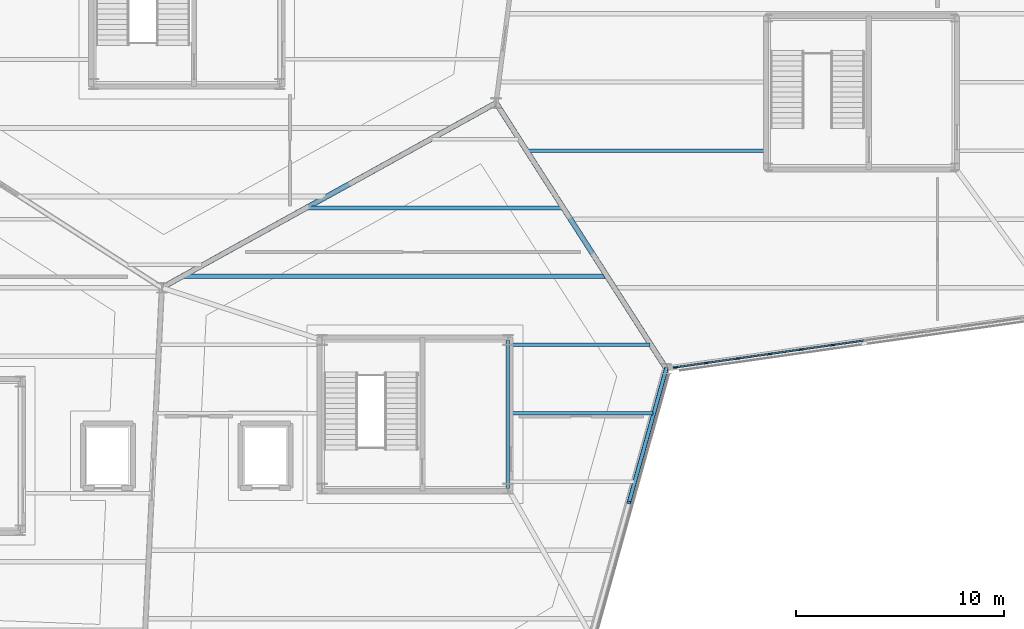
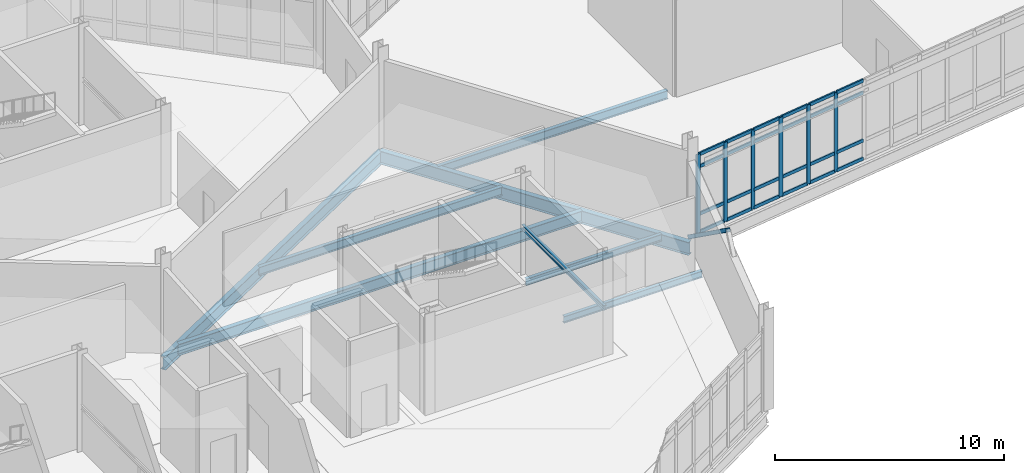
# One storey, part 63 of 113: 31 members, 8 beams, 1 element without a shape of its own.
"""IFC4 building model written with IfcOpenShell, lengths in metres."""

from ifc_helpers import new_model, si_unit, direction, frame, origin, origin_2d, place, context, subcontext, project, spatial, rectangle, hollow_rectangle, i_section, extrude, material, material_profile, profile_set, type_object, element, aggregate, save


model = new_model("IFC4")

# Units and contexts
model_context = context("Model", 3, precision=1e-05, world=origin(), true_north=direction((0.0, 1.0)))
body_context = subcontext(model_context, "Body", "Model", "MODEL_VIEW")
ifc_project = project(units=[si_unit("LENGTHUNIT", "METRE"), si_unit("AREAUNIT", "SQUARE_METRE"), si_unit("VOLUMEUNIT", "CUBIC_METRE"), si_unit("PLANEANGLEUNIT", "RADIAN"), si_unit("MASSUNIT", "GRAM", prefix="KILO")], contexts=[model_context])

# Site, building, storey
site_placement = place(None, origin())
site = spatial("IfcSite", under=ifc_project, at=site_placement, CompositionType="ELEMENT")
building_placement = place(site_placement, origin())
building = spatial("IfcBuilding", under=site, at=building_placement, Name="Tameran Prism Museum", CompositionType="ELEMENT")
storey_placement = place(building_placement, origin())
storey = spatial("IfcBuildingStorey", under=building, at=storey_placement, Name="L00", CompositionType="ELEMENT", Elevation=0.0)

# Beams
ifc_material_1 = material(Name="Steel Grade 300PLUS (300 MPa)", Category="steel")
ifc_material_profile_1 = material_profile(ifc_material_1, i_section(OverallWidth=0.172119140625, OverallDepth=0.35888671875, WebThickness=0.008056640625, FlangeThickness=0.012939453125, FilletRadius=0.011474609375, at=origin_2d()))
ifc_profile_set_1 = profile_set([ifc_material_profile_1])
beam_type_1 = type_object("IfcBeamType", Name="BM-J360A", PredefinedType="JOIST", material=ifc_profile_set_1)
beam_1_placement = place(storey_placement, frame((135.47998046875, 86.35009765625, -0.41943359375), z_axis=(1.0, 0.0, 0.0), x_axis=(0.0, 1.0, 0.0)))
element("IfcBeam", 1, at=beam_1_placement, inside=storey, type_object=beam_type_1, Name="Floor Beam BM-0177", PredefinedType="JOIST", context=body_context, shape_type="SweptSolid", body=[
    extrude(i_section(OverallWidth=0.172119140625, OverallDepth=0.35888671875, WebThickness=0.008056640625, FlangeThickness=0.012939453125, FilletRadius=0.011474609375, at=origin_2d()), origin(), (0.0, 0.0, 1.0), 6.8359375),
])
ifc_material_2 = material(Name="Steel Grade 300PLUS (300 MPa)", Category="steel")
ifc_material_profile_2 = material_profile(ifc_material_2, i_section(OverallWidth=0.1708984375, OverallDepth=0.35595703125, WebThickness=0.00732421875, FlangeThickness=0.011474609375, FilletRadius=0.011474609375, at=origin_2d()))
ifc_profile_set_2 = profile_set([ifc_material_profile_2])
beam_type_2 = type_object("IfcBeamType", Name="BM-J360B", PredefinedType="JOIST", material=ifc_profile_set_2)
beam_2_placement = place(storey_placement, frame((135.47998046875, 83.050048828125, -0.41796875), z_axis=(1.0, 0.0, 0.0), x_axis=(0.0, 1.0, 0.0)))
element("IfcBeam", 2, at=beam_2_placement, inside=storey, type_object=beam_type_2, Name="Floor Beam BM-0175", PredefinedType="JOIST", context=body_context, shape_type="SweptSolid", body=[
    extrude(i_section(OverallWidth=0.1708984375, OverallDepth=0.35595703125, WebThickness=0.00732421875, FlangeThickness=0.011474609375, FilletRadius=0.011474609375, at=origin_2d()), origin(), (0.0, 0.0, 1.0), 6.97802734375),
])
ifc_material_3 = material(Name="Steel Grade 300PLUS (300 MPa)", Category="steel")
ifc_material_profile_3 = material_profile(ifc_material_3, i_section(OverallWidth=0.18994140625, OverallDepth=0.4541015625, WebThickness=0.008544921875, FlangeThickness=0.0126953125, FilletRadius=0.011474609375, at=origin_2d()))
ifc_profile_set_3 = profile_set([ifc_material_profile_3])
beam_type_3 = type_object("IfcBeamType", Name="BM-J460B", PredefinedType="JOIST", material=ifc_profile_set_3)
beam_3_placement = place(storey_placement, frame((125.846923828125, 92.949951171875, -0.467041015625), z_axis=(1.0, 0.0, 0.0), x_axis=(0.0, 1.0, 0.0)))
element("IfcBeam", 3, at=beam_3_placement, inside=storey, type_object=beam_type_3, Name="Floor Beam BM-0179", PredefinedType="JOIST", context=body_context, shape_type="SweptSolid", body=[
    extrude(i_section(OverallWidth=0.18994140625, OverallDepth=0.4541015625, WebThickness=0.008544921875, FlangeThickness=0.0126953125, FilletRadius=0.011474609375, at=origin_2d()), origin(), (0.0, 0.0, 1.0), 12.240966796875),
])
beam_4_placement = place(storey_placement, frame((136.4208984375, 95.699951171875, -0.467041015625), z_axis=(1.0, 0.0, 0.0), x_axis=(0.0, 1.0, 0.0)))
element("IfcBeam", 4, at=beam_4_placement, inside=storey, type_object=beam_type_3, Name="Floor Beam BM-0192", PredefinedType="JOIST", context=body_context, shape_type="SweptSolid", body=[
    extrude(i_section(OverallWidth=0.18994140625, OverallDepth=0.4541015625, WebThickness=0.008544921875, FlangeThickness=0.0126953125, FilletRadius=0.011474609375, at=origin_2d()), origin(), (0.0, 0.0, 1.0), 11.59912109375),
])
ifc_material_4 = material(Name="Steel Grade 300PLUS (300 MPa)", Category="steel")
ifc_material_profile_4 = material_profile(ifc_material_4, i_section(OverallWidth=0.14599609375, OverallDepth=0.256103515625, WebThickness=0.00634765625, FlangeThickness=0.010986328125, FilletRadius=0.0087890625, at=origin_2d()))
ifc_profile_set_4 = profile_set([ifc_material_profile_4])
beam_type_4 = type_object("IfcBeamType", Name="BM-L250", PredefinedType="LINTEL", material=ifc_profile_set_4)
beam_5_placement = place(storey_placement, frame((135.47998046875, 79.419921875, 2.3798828125), z_axis=(0.0, 1.0, 0.0), x_axis=(-1.0, 0.0, 0.0)))
element("IfcBeam", 5, at=beam_5_placement, inside=storey, type_object=beam_type_4, Name="Core Door Lintel LN-02", PredefinedType="LINTEL", context=body_context, shape_type="SweptSolid", body=[
    extrude(i_section(OverallWidth=0.14599609375, OverallDepth=0.256103515625, WebThickness=0.00634765625, FlangeThickness=0.010986328125, FilletRadius=0.0087890625, at=origin_2d()), origin(), (0.0, 0.0, 1.0), 7.16015625),
])
ifc_material_5 = material(Name="Steel Grade 350 (350 MPa)", Category="steel")
ifc_material_profile_5 = material_profile(ifc_material_5, i_section(OverallWidth=0.25, OverallDepth=0.699951171875, WebThickness=0.010009765625, FlangeThickness=0.02001953125, at=origin_2d()))
ifc_profile_set_5 = profile_set([ifc_material_profile_5])
beam_type_5 = type_object("IfcBeamType", Name="BM-SP700", PredefinedType="SPANDREL", material=ifc_profile_set_5)
beam_6_placement = place(storey_placement, frame((143.10009765625, 85.199951171875, -0.590087890625), z_axis=(-0.539434641352, 0.842027474439, 0.0), x_axis=(-0.842027474439, -0.539434641352, 0.0)))
element("IfcBeam", 6, at=beam_6_placement, inside=storey, type_object=beam_type_5, Name="Perimeter Spandrel SP-0009", PredefinedType="SPANDREL", context=body_context, shape_type="SweptSolid", body=[
    extrude(i_section(OverallWidth=0.25, OverallDepth=0.699951171875, WebThickness=0.010009765625, FlangeThickness=0.02001953125, at=origin_2d()), origin(), (0.0, 0.0, 1.0), 15.201416015625),
])
beam_7_placement = place(storey_placement, frame((134.89990234375, 98.0, -0.590087890625), z_axis=(-0.875181353329, -0.483794996652, 0.0), x_axis=(0.483794996652, -0.875181353329, 0.0)))
element("IfcBeam", 7, at=beam_7_placement, inside=storey, type_object=beam_type_5, Name="Perimeter Spandrel SP-0010", PredefinedType="SPANDREL", context=body_context, shape_type="SweptSolid", body=[
    extrude(i_section(OverallWidth=0.25, OverallDepth=0.699951171875, WebThickness=0.010009765625, FlangeThickness=0.02001953125, at=origin_2d()), origin(), (0.0, 0.0, 1.0), 18.39599609375),
])
ifc_material_6 = material(Name="Steel Grade 300PLUS (300 MPa)", Category="steel")
ifc_material_profile_6 = material_profile(ifc_material_6, i_section(OverallWidth=0.22802734375, OverallDepth=0.60693359375, WebThickness=0.01123046875, FlangeThickness=0.017333984375, FilletRadius=0.013916015625, at=origin_2d()))
ifc_profile_set_6 = profile_set([ifc_material_profile_6])
beam_type_6 = type_object("IfcBeamType", Name="BM-UB610B", PredefinedType="BEAM", material=ifc_profile_set_6)
beam_8_placement = place(storey_placement, frame((119.8779296875, 89.64990234375, -0.54345703125), z_axis=(1.0, 0.0, 0.0), x_axis=(0.0, 1.0, 0.0)))
element("IfcBeam", 8, at=beam_8_placement, inside=storey, type_object=beam_type_6, Name="Floor Beam BM-0178", PredefinedType="BEAM", context=body_context, shape_type="SweptSolid", body=[
    extrude(i_section(OverallWidth=0.22802734375, OverallDepth=0.60693359375, WebThickness=0.01123046875, FlangeThickness=0.017333984375, FilletRadius=0.013916015625, at=origin_2d()), origin(), (0.0, 0.0, 1.0), 20.323974609375),
])

# Curtain wall, members
ifc_material_7 = material(Name="Anodised Aluminium 6063-T6 and Cyclone Solar Glass", Category="aluminium")
curtain_wall_type = type_object("IfcCurtainWallType", Name="CW-FAC-1843x422", PredefinedType="USERDEFINED", material=ifc_material_7)
curtain_wall_placement = place(storey_placement, origin())
curtain_wall = element("IfcCurtainWall", 9, at=curtain_wall_placement, inside=storey, type_object=curtain_wall_type, Name="Unitised Curtain Wall CW-025", ObjectType="UNITISED CURTAIN WALL", PredefinedType="USERDEFINED")
ifc_material_8 = material(Name="Anodised Aluminium Alloy 6063-T6", Category="aluminium")
ifc_material_profile_7 = material_profile(ifc_material_8, rectangle(XDim=0.074951171875, YDim=0.199951171875, at=origin_2d()))
ifc_profile_set_7 = profile_set([ifc_material_profile_7])
member_type_1 = type_object("IfcMemberType", Name="CW-MUL-C", PredefinedType="MULLION", material=ifc_profile_set_7)
member_1_placement = place(storey_placement, frame((151.10888671875, 86.337890625, 0.0), z_axis=(0.0, 0.0, 1.0), x_axis=(0.1407452685, -0.990045842067, 0.0)))
member_1 = element("IfcMember", 10, at=member_1_placement, type_object=member_type_1, Name="CW-025 mullion 8", PredefinedType="MULLION", context=body_context, shape_type="SweptSolid", body=[
    extrude(rectangle(XDim=0.074951171875, YDim=0.199951171875, at=origin_2d()), origin(), (0.0, 0.0, 1.0), 4.219970703125),
])
member_2_placement = place(storey_placement, frame((149.58837890625, 86.12158203125, 0.0), z_axis=(0.0, 0.0, 1.0), x_axis=(0.1407452685, -0.990045842067, 0.0)))
member_2 = element("IfcMember", 11, at=member_2_placement, type_object=member_type_1, Name="CW-025 mullion 9", PredefinedType="MULLION", context=body_context, shape_type="SweptSolid", body=[
    extrude(rectangle(XDim=0.074951171875, YDim=0.199951171875, at=origin_2d()), origin(), (0.0, 0.0, 1.0), 4.219970703125),
])
member_3_placement = place(storey_placement, frame((148.06787109375, 85.905517578125, 0.0), z_axis=(0.0, 0.0, 1.0), x_axis=(0.1407452685, -0.990045842067, 0.0)))
member_3 = element("IfcMember", 12, at=member_3_placement, type_object=member_type_1, Name="CW-025 mullion 10", PredefinedType="MULLION", context=body_context, shape_type="SweptSolid", body=[
    extrude(rectangle(XDim=0.074951171875, YDim=0.199951171875, at=origin_2d()), origin(), (0.0, 0.0, 1.0), 4.219970703125),
])
member_4_placement = place(storey_placement, frame((146.547119140625, 85.689453125, 0.0), z_axis=(0.0, 0.0, 1.0), x_axis=(0.1407452685, -0.990045842067, 0.0)))
member_4 = element("IfcMember", 13, at=member_4_placement, type_object=member_type_1, Name="CW-025 mullion 11", PredefinedType="MULLION", context=body_context, shape_type="SweptSolid", body=[
    extrude(rectangle(XDim=0.074951171875, YDim=0.199951171875, at=origin_2d()), origin(), (0.0, 0.0, 1.0), 4.219970703125),
])
member_5_placement = place(storey_placement, frame((145.026611328125, 85.47314453125, 0.0), z_axis=(0.0, 0.0, 1.0), x_axis=(0.1407452685, -0.990045842067, 0.0)))
member_5 = element("IfcMember", 14, at=member_5_placement, type_object=member_type_1, Name="CW-025 mullion 12", PredefinedType="MULLION", context=body_context, shape_type="SweptSolid", body=[
    extrude(rectangle(XDim=0.074951171875, YDim=0.199951171875, at=origin_2d()), origin(), (0.0, 0.0, 1.0), 4.219970703125),
])
member_6_placement = place(storey_placement, frame((143.543212890625, 85.26220703125, 0.0), z_axis=(0.0, 0.0, 1.0), x_axis=(0.1407452685, -0.990045842067, 0.0)))
member_6 = element("IfcMember", 15, at=member_6_placement, type_object=member_type_1, Name="CW-025 mullion 13", PredefinedType="MULLION", context=body_context, shape_type="SweptSolid", body=[
    extrude(rectangle(XDim=0.074951171875, YDim=0.199951171875, at=origin_2d()), origin(), (0.0, 0.0, 1.0), 4.219970703125),
])
ifc_material_9 = material(Name="Anodised Aluminium Alloy 6063-T6", Category="aluminium")
ifc_material_profile_8 = material_profile(ifc_material_9, rectangle(XDim=0.074951171875, YDim=0.175048828125, at=origin_2d()))
ifc_profile_set_8 = profile_set([ifc_material_profile_8])
member_type_2 = type_object("IfcMemberType", Name="CW-TRN-C", PredefinedType="USERDEFINED", material=ifc_profile_set_8)
member_7_placement = place(storey_placement, frame((152.59228515625, 86.548828125, 0.03759765625), z_axis=(-0.990026223169, -0.140883204951, 0.0), x_axis=(0.140883204951, -0.990026223169, 0.0)))
member_7 = element("IfcMember", 16, at=member_7_placement, type_object=member_type_2, Name="CW-025 transom 7.1", ObjectType="TRANSOM", PredefinedType="USERDEFINED", context=body_context, shape_type="SweptSolid", body=[
    extrude(rectangle(XDim=0.074951171875, YDim=0.175048828125, at=origin_2d()), origin(), (0.0, 0.0, 1.0), 1.4609375),
])
member_8_placement = place(storey_placement, frame((152.59228515625, 86.548828125, 1.0), z_axis=(-0.990026223169, -0.140883204951, 0.0), x_axis=(0.140883204951, -0.990026223169, 0.0)))
member_8 = element("IfcMember", 17, at=member_8_placement, type_object=member_type_2, Name="CW-025 transom 7.2", ObjectType="TRANSOM", PredefinedType="USERDEFINED", context=body_context, shape_type="SweptSolid", body=[
    extrude(rectangle(XDim=0.074951171875, YDim=0.175048828125, at=origin_2d()), origin(), (0.0, 0.0, 1.0), 1.4609375),
])
member_9_placement = place(storey_placement, frame((152.59228515625, 86.548828125, 3.5400390625), z_axis=(-0.990026223169, -0.140883204951, 0.0), x_axis=(0.140883204951, -0.990026223169, 0.0)))
member_9 = element("IfcMember", 18, at=member_9_placement, type_object=member_type_2, Name="CW-025 transom 7.3", ObjectType="TRANSOM", PredefinedType="USERDEFINED", context=body_context, shape_type="SweptSolid", body=[
    extrude(rectangle(XDim=0.074951171875, YDim=0.175048828125, at=origin_2d()), origin(), (0.0, 0.0, 1.0), 1.4609375),
])
member_10_placement = place(storey_placement, frame((152.59228515625, 86.548828125, 4.1826171875), z_axis=(-0.990026223169, -0.140883204951, 0.0), x_axis=(0.140883204951, -0.990026223169, 0.0)))
member_10 = element("IfcMember", 19, at=member_10_placement, type_object=member_type_2, Name="CW-025 transom 7.4", ObjectType="TRANSOM", PredefinedType="USERDEFINED", context=body_context, shape_type="SweptSolid", body=[
    extrude(rectangle(XDim=0.074951171875, YDim=0.175048828125, at=origin_2d()), origin(), (0.0, 0.0, 1.0), 1.4609375),
])
member_11_placement = place(storey_placement, frame((151.07177734375, 86.33251953125, 0.03759765625), z_axis=(-0.990049519913, -0.140719394964, 0.0), x_axis=(0.140719394964, -0.990049519913, 0.0)))
member_11 = element("IfcMember", 20, at=member_11_placement, type_object=member_type_2, Name="CW-025 transom 8.1", ObjectType="TRANSOM", PredefinedType="USERDEFINED", context=body_context, shape_type="SweptSolid", body=[
    extrude(rectangle(XDim=0.074951171875, YDim=0.175048828125, at=origin_2d()), origin(), (0.0, 0.0, 1.0), 1.4609375),
])
member_12_placement = place(storey_placement, frame((151.07177734375, 86.33251953125, 1.0), z_axis=(-0.990049519913, -0.140719394964, 0.0), x_axis=(0.140719394964, -0.990049519913, 0.0)))
member_12 = element("IfcMember", 21, at=member_12_placement, type_object=member_type_2, Name="CW-025 transom 8.2", ObjectType="TRANSOM", PredefinedType="USERDEFINED", context=body_context, shape_type="SweptSolid", body=[
    extrude(rectangle(XDim=0.074951171875, YDim=0.175048828125, at=origin_2d()), origin(), (0.0, 0.0, 1.0), 1.4609375),
])
member_13_placement = place(storey_placement, frame((151.07177734375, 86.33251953125, 3.5400390625), z_axis=(-0.990049519913, -0.140719394964, 0.0), x_axis=(0.140719394964, -0.990049519913, 0.0)))
member_13 = element("IfcMember", 22, at=member_13_placement, type_object=member_type_2, Name="CW-025 transom 8.3", ObjectType="TRANSOM", PredefinedType="USERDEFINED", context=body_context, shape_type="SweptSolid", body=[
    extrude(rectangle(XDim=0.074951171875, YDim=0.175048828125, at=origin_2d()), origin(), (0.0, 0.0, 1.0), 1.4609375),
])
member_14_placement = place(storey_placement, frame((151.07177734375, 86.33251953125, 4.1826171875), z_axis=(-0.990049519913, -0.140719394964, 0.0), x_axis=(0.140719394964, -0.990049519913, 0.0)))
member_14 = element("IfcMember", 23, at=member_14_placement, type_object=member_type_2, Name="CW-025 transom 8.4", ObjectType="TRANSOM", PredefinedType="USERDEFINED", context=body_context, shape_type="SweptSolid", body=[
    extrude(rectangle(XDim=0.074951171875, YDim=0.175048828125, at=origin_2d()), origin(), (0.0, 0.0, 1.0), 1.4609375),
])
member_15_placement = place(storey_placement, frame((149.55126953125, 86.116455078125, 0.03759765625), z_axis=(-0.990049519913, -0.140719394964, 0.0), x_axis=(0.140719394964, -0.990049519913, 0.0)))
member_15 = element("IfcMember", 24, at=member_15_placement, type_object=member_type_2, Name="CW-025 transom 9.1", ObjectType="TRANSOM", PredefinedType="USERDEFINED", context=body_context, shape_type="SweptSolid", body=[
    extrude(rectangle(XDim=0.074951171875, YDim=0.175048828125, at=origin_2d()), origin(), (0.0, 0.0, 1.0), 1.4609375),
])
member_16_placement = place(storey_placement, frame((149.55126953125, 86.116455078125, 1.0), z_axis=(-0.990049519913, -0.140719394964, 0.0), x_axis=(0.140719394964, -0.990049519913, 0.0)))
member_16 = element("IfcMember", 25, at=member_16_placement, type_object=member_type_2, Name="CW-025 transom 9.2", ObjectType="TRANSOM", PredefinedType="USERDEFINED", context=body_context, shape_type="SweptSolid", body=[
    extrude(rectangle(XDim=0.074951171875, YDim=0.175048828125, at=origin_2d()), origin(), (0.0, 0.0, 1.0), 1.4609375),
])
member_17_placement = place(storey_placement, frame((149.55126953125, 86.116455078125, 3.5400390625), z_axis=(-0.990049519913, -0.140719394964, 0.0), x_axis=(0.140719394964, -0.990049519913, 0.0)))
member_17 = element("IfcMember", 26, at=member_17_placement, type_object=member_type_2, Name="CW-025 transom 9.3", ObjectType="TRANSOM", PredefinedType="USERDEFINED", context=body_context, shape_type="SweptSolid", body=[
    extrude(rectangle(XDim=0.074951171875, YDim=0.175048828125, at=origin_2d()), origin(), (0.0, 0.0, 1.0), 1.4609375),
])
member_18_placement = place(storey_placement, frame((149.55126953125, 86.116455078125, 4.1826171875), z_axis=(-0.990049519913, -0.140719394964, 0.0), x_axis=(0.140719394964, -0.990049519913, 0.0)))
member_18 = element("IfcMember", 27, at=member_18_placement, type_object=member_type_2, Name="CW-025 transom 9.4", ObjectType="TRANSOM", PredefinedType="USERDEFINED", context=body_context, shape_type="SweptSolid", body=[
    extrude(rectangle(XDim=0.074951171875, YDim=0.175048828125, at=origin_2d()), origin(), (0.0, 0.0, 1.0), 1.4609375),
])
member_19_placement = place(storey_placement, frame((148.030517578125, 85.900146484375, 0.03759765625), z_axis=(-0.990049519913, -0.140719394964, 0.0), x_axis=(0.140719394964, -0.990049519913, 0.0)))
member_19 = element("IfcMember", 28, at=member_19_placement, type_object=member_type_2, Name="CW-025 transom 10.1", ObjectType="TRANSOM", PredefinedType="USERDEFINED", context=body_context, shape_type="SweptSolid", body=[
    extrude(rectangle(XDim=0.074951171875, YDim=0.175048828125, at=origin_2d()), origin(), (0.0, 0.0, 1.0), 1.4609375),
])
member_20_placement = place(storey_placement, frame((148.030517578125, 85.900146484375, 1.0), z_axis=(-0.990049519913, -0.140719394964, 0.0), x_axis=(0.140719394964, -0.990049519913, 0.0)))
member_20 = element("IfcMember", 29, at=member_20_placement, type_object=member_type_2, Name="CW-025 transom 10.2", ObjectType="TRANSOM", PredefinedType="USERDEFINED", context=body_context, shape_type="SweptSolid", body=[
    extrude(rectangle(XDim=0.074951171875, YDim=0.175048828125, at=origin_2d()), origin(), (0.0, 0.0, 1.0), 1.4609375),
])
member_21_placement = place(storey_placement, frame((148.030517578125, 85.900146484375, 3.5400390625), z_axis=(-0.990049519913, -0.140719394964, 0.0), x_axis=(0.140719394964, -0.990049519913, 0.0)))
member_21 = element("IfcMember", 30, at=member_21_placement, type_object=member_type_2, Name="CW-025 transom 10.3", ObjectType="TRANSOM", PredefinedType="USERDEFINED", context=body_context, shape_type="SweptSolid", body=[
    extrude(rectangle(XDim=0.074951171875, YDim=0.175048828125, at=origin_2d()), origin(), (0.0, 0.0, 1.0), 1.4609375),
])
member_22_placement = place(storey_placement, frame((148.030517578125, 85.900146484375, 4.1826171875), z_axis=(-0.990049519913, -0.140719394964, 0.0), x_axis=(0.140719394964, -0.990049519913, 0.0)))
member_22 = element("IfcMember", 31, at=member_22_placement, type_object=member_type_2, Name="CW-025 transom 10.4", ObjectType="TRANSOM", PredefinedType="USERDEFINED", context=body_context, shape_type="SweptSolid", body=[
    extrude(rectangle(XDim=0.074951171875, YDim=0.175048828125, at=origin_2d()), origin(), (0.0, 0.0, 1.0), 1.4609375),
])
member_23_placement = place(storey_placement, frame((146.510009765625, 85.68408203125, 0.03759765625), z_axis=(-0.990049519913, -0.140719394964, 0.0), x_axis=(0.140719394964, -0.990049519913, 0.0)))
member_23 = element("IfcMember", 32, at=member_23_placement, type_object=member_type_2, Name="CW-025 transom 11.1", ObjectType="TRANSOM", PredefinedType="USERDEFINED", context=body_context, shape_type="SweptSolid", body=[
    extrude(rectangle(XDim=0.074951171875, YDim=0.175048828125, at=origin_2d()), origin(), (0.0, 0.0, 1.0), 1.4609375),
])
member_24_placement = place(storey_placement, frame((146.510009765625, 85.68408203125, 1.0), z_axis=(-0.990049519913, -0.140719394964, 0.0), x_axis=(0.140719394964, -0.990049519913, 0.0)))
member_24 = element("IfcMember", 33, at=member_24_placement, type_object=member_type_2, Name="CW-025 transom 11.2", ObjectType="TRANSOM", PredefinedType="USERDEFINED", context=body_context, shape_type="SweptSolid", body=[
    extrude(rectangle(XDim=0.074951171875, YDim=0.175048828125, at=origin_2d()), origin(), (0.0, 0.0, 1.0), 1.4609375),
])
member_25_placement = place(storey_placement, frame((146.510009765625, 85.68408203125, 3.5400390625), z_axis=(-0.990049519913, -0.140719394964, 0.0), x_axis=(0.140719394964, -0.990049519913, 0.0)))
member_25 = element("IfcMember", 34, at=member_25_placement, type_object=member_type_2, Name="CW-025 transom 11.3", ObjectType="TRANSOM", PredefinedType="USERDEFINED", context=body_context, shape_type="SweptSolid", body=[
    extrude(rectangle(XDim=0.074951171875, YDim=0.175048828125, at=origin_2d()), origin(), (0.0, 0.0, 1.0), 1.4609375),
])
member_26_placement = place(storey_placement, frame((146.510009765625, 85.68408203125, 4.1826171875), z_axis=(-0.990049519913, -0.140719394964, 0.0), x_axis=(0.140719394964, -0.990049519913, 0.0)))
member_26 = element("IfcMember", 35, at=member_26_placement, type_object=member_type_2, Name="CW-025 transom 11.4", ObjectType="TRANSOM", PredefinedType="USERDEFINED", context=body_context, shape_type="SweptSolid", body=[
    extrude(rectangle(XDim=0.074951171875, YDim=0.175048828125, at=origin_2d()), origin(), (0.0, 0.0, 1.0), 1.4609375),
])
member_27_placement = place(storey_placement, frame((144.989501953125, 85.4677734375, 0.03759765625), z_axis=(-0.990058973258, -0.140652868689, 0.0), x_axis=(0.140652868689, -0.990058973258, 0.0)))
member_27 = element("IfcMember", 36, at=member_27_placement, type_object=member_type_2, Name="CW-025 transom 12.1", ObjectType="TRANSOM", PredefinedType="USERDEFINED", context=body_context, shape_type="SweptSolid", body=[
    extrude(rectangle(XDim=0.074951171875, YDim=0.175048828125, at=origin_2d()), origin(), (0.0, 0.0, 1.0), 1.42333984375),
])
member_28_placement = place(storey_placement, frame((144.989501953125, 85.4677734375, 1.0), z_axis=(-0.990058973258, -0.140652868689, 0.0), x_axis=(0.140652868689, -0.990058973258, 0.0)))
member_28 = element("IfcMember", 37, at=member_28_placement, type_object=member_type_2, Name="CW-025 transom 12.2", ObjectType="TRANSOM", PredefinedType="USERDEFINED", context=body_context, shape_type="SweptSolid", body=[
    extrude(rectangle(XDim=0.074951171875, YDim=0.175048828125, at=origin_2d()), origin(), (0.0, 0.0, 1.0), 1.42333984375),
])
member_29_placement = place(storey_placement, frame((144.989501953125, 85.4677734375, 3.5400390625), z_axis=(-0.990058973258, -0.140652868689, 0.0), x_axis=(0.140652868689, -0.990058973258, 0.0)))
member_29 = element("IfcMember", 38, at=member_29_placement, type_object=member_type_2, Name="CW-025 transom 12.3", ObjectType="TRANSOM", PredefinedType="USERDEFINED", context=body_context, shape_type="SweptSolid", body=[
    extrude(rectangle(XDim=0.074951171875, YDim=0.175048828125, at=origin_2d()), origin(), (0.0, 0.0, 1.0), 1.42333984375),
])
member_30_placement = place(storey_placement, frame((144.989501953125, 85.4677734375, 4.1826171875), z_axis=(-0.990058973258, -0.140652868689, 0.0), x_axis=(0.140652868689, -0.990058973258, 0.0)))
member_30 = element("IfcMember", 39, at=member_30_placement, type_object=member_type_2, Name="CW-025 transom 12.4", ObjectType="TRANSOM", PredefinedType="USERDEFINED", context=body_context, shape_type="SweptSolid", body=[
    extrude(rectangle(XDim=0.074951171875, YDim=0.175048828125, at=origin_2d()), origin(), (0.0, 0.0, 1.0), 1.42333984375),
])
aggregate(curtain_wall, [member_1, member_2, member_3, member_4, member_5, member_6, member_7, member_8, member_9, member_10, member_11, member_12, member_13, member_14, member_15, member_16, member_17, member_18, member_19, member_20, member_21, member_22, member_23, member_24, member_25, member_26, member_27, member_28, member_29, member_30])

# Member
ifc_material_10 = material(Name="Steel Grade C350L0 (350 MPa)", Category="steel")
ifc_material_profile_9 = material_profile(ifc_material_10, hollow_rectangle(XDim=0.199951171875, YDim=0.199951171875, WallThickness=0.009033203125, InnerFilletRadius=0.013427734375, OuterFilletRadius=0.0224609375, at=origin_2d()))
ifc_profile_set_9 = profile_set([ifc_material_profile_9])
member_type_3 = type_object("IfcMemberType", Name="MM-BR-SHS200", PredefinedType="BRACE", material=ifc_profile_set_9)
member_31_placement = place(storey_placement, frame((143.10009765625, 85.199951171875, 0.0), z_axis=(-0.216934627001, -0.777322109145, 0.590516474149), x_axis=(0.96319388659, -0.268807620494, 0.0)))
element("IfcMember", 40, at=member_31_placement, inside=storey, type_object=member_type_3, Name="Lateral Chevron Brace CBF-024", PredefinedType="BRACE", context=body_context, shape_type="SweptSolid", body=[
    extrude(hollow_rectangle(XDim=0.199951171875, YDim=0.199951171875, WallThickness=0.009033203125, InnerFilletRadius=0.013427734375, OuterFilletRadius=0.0224609375, at=origin_2d()), origin(), (0.0, 0.0, 1.0), 8.297607421875),
])

save(model, "model.ifc")
